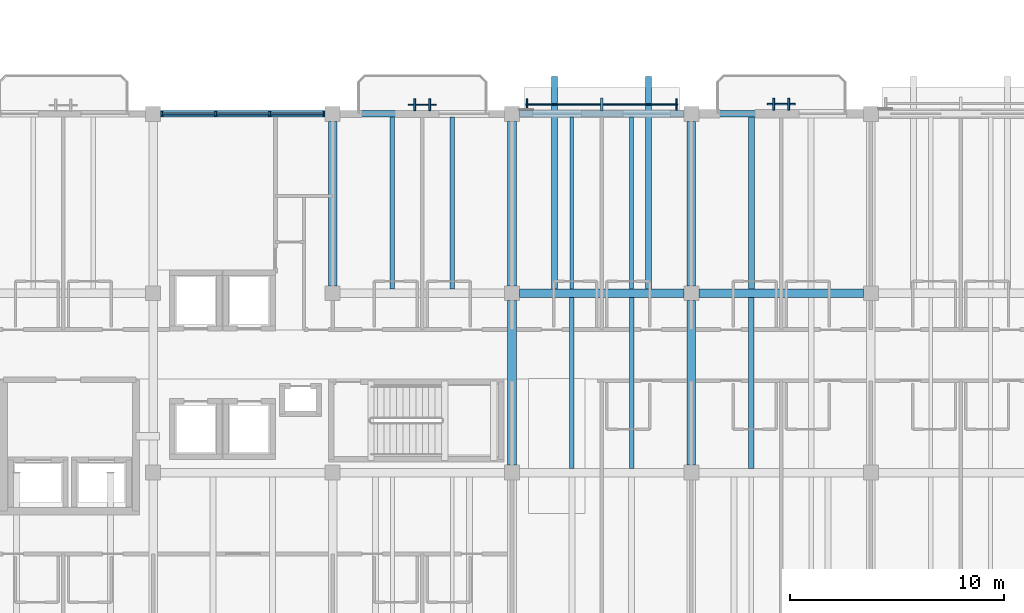
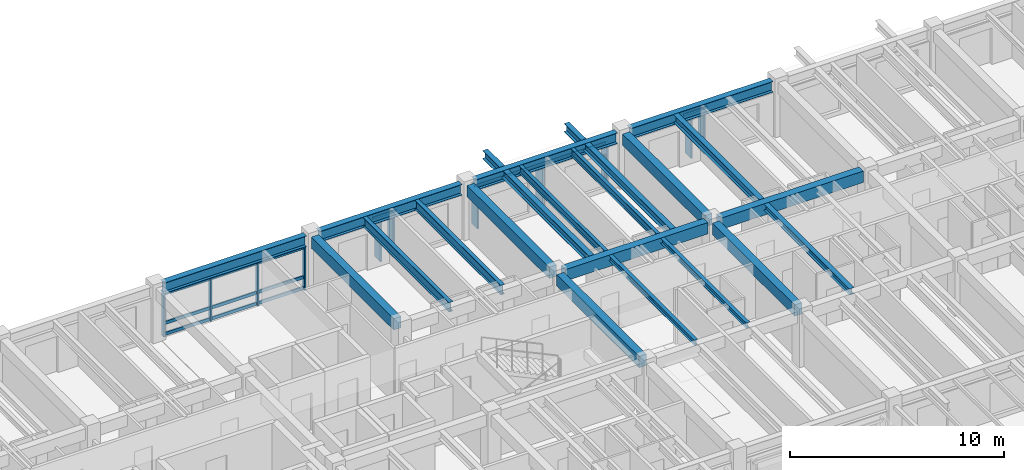
# One storey, part 17 of 111: 23 members, 21 beams, 4 elements without a shape of their own.
"""IFC4 building model written with IfcOpenShell, lengths in metres."""

from ifc_helpers import new_model, si_unit, direction, frame, origin, origin_2d, place, context, subcontext, project, spatial, rectangle, i_section, extrude, material, material_profile, profile_set, type_object, element, aggregate, save


model = new_model("IFC4")

# Units and contexts
model_context = context("Model", 3, precision=1e-05, world=origin(), true_north=direction((0.0, 1.0)))
body_context = subcontext(model_context, "Body", "Model", "MODEL_VIEW")
ifc_project = project(units=[si_unit("LENGTHUNIT", "METRE"), si_unit("AREAUNIT", "SQUARE_METRE"), si_unit("VOLUMEUNIT", "CUBIC_METRE"), si_unit("PLANEANGLEUNIT", "RADIAN"), si_unit("MASSUNIT", "GRAM", prefix="KILO")], contexts=[model_context])

# Site, building, storey
site_placement = place(None, origin())
site = spatial("IfcSite", under=ifc_project, at=site_placement, CompositionType="ELEMENT")
building_placement = place(site_placement, origin())
building = spatial("IfcBuilding", under=site, at=building_placement, Name="Cumbredor Promenade Congress Hotel", CompositionType="ELEMENT")
storey_placement = place(building_placement, frame((0.0, 0.0, 15.1201171875)))
storey = spatial("IfcBuildingStorey", under=building, at=storey_placement, Name="L04", CompositionType="ELEMENT", Elevation=15.1201171875)

# Beams
ifc_material_1 = material(Name="Concrete C40/50", Category="concrete")
ifc_material_profile_1 = material_profile(ifc_material_1, rectangle(XDim=0.39990234375, YDim=0.64990234375, at=origin_2d()), Name="RC BEAM 400x650")
ifc_profile_set_1 = profile_set([ifc_material_profile_1], Name="Concrete C40/50")
beam_type_1 = type_object("IfcBeamType", Name="BM-RC-400x650", PredefinedType="BEAM", material=ifc_profile_set_1)
beam_1_placement = place(storey_placement, frame((42.0, 109.550048828125, 2.794921875), z_axis=(0.0, 1.0, 0.0), x_axis=(-1.0, 0.0, 0.0)))
element("IfcBeam", 1, at=beam_1_placement, inside=storey, type_object=beam_type_1, Name="L05 Y-Grid Beam 075", PredefinedType="BEAM", context=body_context, shape_type="SweptSolid", body=[
    extrude(rectangle(XDim=0.39990234375, YDim=0.64990234375, at=origin_2d()), origin(), (0.0, 0.0, 1.0), 7.699951171875),
])
beam_2_placement = place(storey_placement, frame((50.39990234375, 101.14990234375, 2.794921875), z_axis=(0.0, 1.0, 0.0), x_axis=(-1.0, 0.0, 0.0)))
element("IfcBeam", 2, at=beam_2_placement, inside=storey, type_object=beam_type_1, Name="L05 Y-Grid Beam 085", PredefinedType="BEAM", context=body_context, shape_type="SweptSolid", body=[
    extrude(rectangle(XDim=0.39990234375, YDim=0.64990234375, at=origin_2d()), origin(), (0.0, 0.0, 1.0), 7.7001953125),
])
for number, where, z_axis, x_axis, name in (
    (3, (50.75, 109.199951171875, 2.794921875), (1.0, 0.0, 0.0), (0.0, 1.0, 0.0), "L05 X-Grid Beam 086"),
    (4, (50.39990234375, 109.550048828125, 2.794921875), (0.0, 1.0, 0.0), (-1.0, 0.0, 0.0), "L05 Y-Grid Beam 087"),
):
    element("IfcBeam", number, at=place(storey_placement, frame(where, z_axis=z_axis, x_axis=x_axis)), inside=storey, type_object=beam_type_1, Name=name, PredefinedType="BEAM", context=body_context, shape_type="SweptSolid", body=[
        extrude(rectangle(XDim=0.39990234375, YDim=0.64990234375, at=origin_2d()), origin(), (0.0, 0.0, 1.0), 7.699951171875),
    ])
for number, where, z_axis, x_axis, name in (
    (5, (58.800048828125, 101.14990234375, 2.794921875), (0.0, 1.0, 0.0), (-1.0, 0.0, 0.0), "L05 Y-Grid Beam 105"),
    (6, (59.14990234375, 109.199951171875, 2.794921875), (1.0, 0.0, 0.0), (0.0, 1.0, 0.0), "L05 X-Grid Beam 106"),
):
    element("IfcBeam", number, at=place(storey_placement, frame(where, z_axis=z_axis, x_axis=x_axis)), inside=storey, type_object=beam_type_1, Name=name, PredefinedType="BEAM", context=body_context, shape_type="SweptSolid", body=[
        extrude(rectangle(XDim=0.39990234375, YDim=0.64990234375, at=origin_2d()), origin(), (0.0, 0.0, 1.0), 7.7001953125),
    ])
beam_3_placement = place(storey_placement, frame((58.800048828125, 109.550048828125, 2.794921875), z_axis=(0.0, 1.0, 0.0), x_axis=(-1.0, 0.0, 0.0)))
element("IfcBeam", 7, at=beam_3_placement, inside=storey, type_object=beam_type_1, Name="L05 Y-Grid Beam 107", PredefinedType="BEAM", context=body_context, shape_type="SweptSolid", body=[
    extrude(rectangle(XDim=0.39990234375, YDim=0.64990234375, at=origin_2d()), origin(), (0.0, 0.0, 1.0), 7.699951171875),
])
ifc_material_2 = material(Name="Steel ASTM A992 Grade 50", Category="steel")
ifc_material_profile_2 = material_profile(ifc_material_2, i_section(OverallWidth=0.323974609375, OverallDepth=0.611083984375, WebThickness=0.0126953125, FlangeThickness=0.01904296875, at=origin_2d()), Name="W24X104")
ifc_profile_set_2 = profile_set([ifc_material_profile_2], Name="Steel ASTM A992 Grade 50")
beam_type_2 = type_object("IfcBeamType", Name="BM-W24X104", PredefinedType="BEAM", material=ifc_profile_set_2)
for number, where, z_axis, x_axis, name in (
    (8, (33.949951171875, 117.60009765625, 2.814453125), (1.0, 0.0, 0.0), (0.0, 1.0, 0.0), "L05 X-Grid Beam 065"),
    (9, (42.35009765625, 117.60009765625, 2.814453125), (1.0, 0.0, 0.0), (0.0, 1.0, 0.0), "L05 X-Grid Beam 076"),
    (10, (50.75, 117.60009765625, 2.814453125), (1.0, 0.0, 0.0), (0.0, 1.0, 0.0), "L05 X-Grid Beam 088"),
):
    element("IfcBeam", number, at=place(storey_placement, frame(where, z_axis=z_axis, x_axis=x_axis)), inside=storey, type_object=beam_type_2, Name=name, PredefinedType="BEAM", context=body_context, shape_type="SweptSolid", body=[
        extrude(i_section(OverallWidth=0.323974609375, OverallDepth=0.611083984375, WebThickness=0.0126953125, FlangeThickness=0.01904296875, at=origin_2d()), origin(), (0.0, 0.0, 1.0), 7.699951171875),
    ])
beam_4_placement = place(storey_placement, frame((59.14990234375, 117.60009765625, 2.814453125), z_axis=(1.0, 0.0, 0.0), x_axis=(0.0, 1.0, 0.0)))
element("IfcBeam", 11, at=beam_4_placement, inside=storey, type_object=beam_type_2, Name="L05 X-Grid Beam 108", PredefinedType="BEAM", context=body_context, shape_type="SweptSolid", body=[
    extrude(i_section(OverallWidth=0.323974609375, OverallDepth=0.611083984375, WebThickness=0.0126953125, FlangeThickness=0.01904296875, at=origin_2d()), origin(), (0.0, 0.0, 1.0), 7.7001953125),
])

# Curtain wall, members
ifc_material_3 = material(Name="Thermally broken anodized aluminium and low-E glass", Category="aluminium")
curtain_wall_type_1 = type_object("IfcCurtainWallType", Name="Unitised Bronze Curtain Wall CW-01", PredefinedType="NOTDEFINED", material=ifc_material_3)
curtain_wall_1_placement = place(storey_placement, origin())
curtain_wall_1 = element("IfcCurtainWall", 12, at=curtain_wall_1_placement, inside=storey, type_object=curtain_wall_type_1, Name="L04 Stepped Congress Hotel Wing North Curtain Wall 5", PredefinedType="NOTDEFINED")
ifc_material_4 = material(Name="Thermally broken anodized aluminium", Category="aluminium")
ifc_material_profile_3 = material_profile(ifc_material_4, rectangle(XDim=0.080078125, YDim=0.239990234375, at=origin_2d()), Name="ALU MULLION 80x240")
ifc_profile_set_3 = profile_set([ifc_material_profile_3], Name="Thermally broken anodized aluminium")
member_type_1 = type_object("IfcMemberType", Name="Curtain Wall Mullion ML-03", PredefinedType="MULLION", material=ifc_profile_set_3)
member_1_placement = place(storey_placement, frame((34.0048828125, 117.60009765625, -0.008056640625), z_axis=(0.0, 0.0, 1.0), x_axis=(1.0, 0.0, 0.0)))
member_1 = element("IfcMember", 13, at=member_1_placement, type_object=member_type_1, Name="L04 Stepped Congress Hotel Wing North Curtain Wall 5 Mullion 1", PredefinedType="MULLION", context=body_context, shape_type="SweptSolid", body=[
    extrude(rectangle(XDim=0.080078125, YDim=0.239990234375, at=origin_2d()), origin(), (0.0, 0.0, 1.0), 2.510009765625),
])
member_2_placement = place(storey_placement, frame((36.534912109375, 117.60009765625, -0.008056640625), z_axis=(0.0, 0.0, 1.0), x_axis=(1.0, 0.0, 0.0)))
member_2 = element("IfcMember", 14, at=member_2_placement, type_object=member_type_1, Name="L04 Stepped Congress Hotel Wing North Curtain Wall 5 Mullion 2", PredefinedType="MULLION", context=body_context, shape_type="SweptSolid", body=[
    extrude(rectangle(XDim=0.080078125, YDim=0.239990234375, at=origin_2d()), origin(), (0.0, 0.0, 1.0), 2.510009765625),
])
member_3_placement = place(storey_placement, frame((39.06494140625, 117.60009765625, -0.008056640625), z_axis=(0.0, 0.0, 1.0), x_axis=(1.0, 0.0, 0.0)))
member_3 = element("IfcMember", 15, at=member_3_placement, type_object=member_type_1, Name="L04 Stepped Congress Hotel Wing North Curtain Wall 5 Mullion 3", PredefinedType="MULLION", context=body_context, shape_type="SweptSolid", body=[
    extrude(rectangle(XDim=0.080078125, YDim=0.239990234375, at=origin_2d()), origin(), (0.0, 0.0, 1.0), 2.510009765625),
])
member_4_placement = place(storey_placement, frame((41.594970703125, 117.60009765625, -0.008056640625), z_axis=(0.0, 0.0, 1.0), x_axis=(1.0, 0.0, 0.0)))
member_4 = element("IfcMember", 16, at=member_4_placement, type_object=member_type_1, Name="L04 Stepped Congress Hotel Wing North Curtain Wall 5 Mullion 4", PredefinedType="MULLION", context=body_context, shape_type="SweptSolid", body=[
    extrude(rectangle(XDim=0.080078125, YDim=0.239990234375, at=origin_2d()), origin(), (0.0, 0.0, 1.0), 2.510009765625),
])

# Curtain wall, member
curtain_wall_type_2 = type_object("IfcCurtainWallType", Name="Solar Brise-Soleil Screen Assembly CW-07", PredefinedType="NOTDEFINED", material=ifc_material_3)
curtain_wall_2_placement = place(storey_placement, origin())
curtain_wall_2 = element("IfcCurtainWall", 17, at=curtain_wall_2_placement, inside=storey, type_object=curtain_wall_type_2, Name="L04 Veranda Solar Brise-Soleil Screen 772", PredefinedType="NOTDEFINED")
ifc_material_profile_4 = material_profile(ifc_material_4, rectangle(XDim=0.06494140625, YDim=0.1298828125, at=origin_2d()), Name="ALU TRANSOM 65x130")
ifc_profile_set_4 = profile_set([ifc_material_profile_4], Name="Thermally broken anodized aluminium")
member_type_2 = type_object("IfcMemberType", Name="Curtain Wall Transom TR-01", PredefinedType="USERDEFINED", material=ifc_profile_set_4)
member_5_placement = place(storey_placement, frame((45.550048828125, 118.0224609375, 2.413818359375), z_axis=(1.0, 0.0, 0.0), x_axis=(0.0, 1.0, 0.0)))
member_5 = element("IfcMember", 18, at=member_5_placement, type_object=member_type_2, Name="L04 Brise-Soleil Header Tie 0774", ObjectType="TRANSOM", PredefinedType="USERDEFINED", context=body_context, shape_type="SweptSolid", body=[
    extrude(rectangle(XDim=0.06494140625, YDim=0.1298828125, at=origin_2d()), origin(), (0.0, 0.0, 1.0), 1.300048828125),
])

curtain_wall_3_placement = place(storey_placement, origin())
curtain_wall_3 = element("IfcCurtainWall", 19, at=curtain_wall_3_placement, inside=storey, type_object=curtain_wall_type_2, Name="L04 Hospitality Brise-Soleil Screen 076", PredefinedType="NOTDEFINED")
member_6_placement = place(storey_placement, frame((51.051025390625, 118.034912109375, 2.31396484375), z_axis=(1.0, 0.0, 0.0), x_axis=(0.0, 1.0, 0.0)))
member_6 = element("IfcMember", 20, at=member_6_placement, type_object=member_type_2, Name="L04 Brise-Soleil Screen Transom 076", ObjectType="TRANSOM", PredefinedType="USERDEFINED", context=body_context, shape_type="SweptSolid", body=[
    extrude(rectangle(XDim=0.06494140625, YDim=0.1298828125, at=origin_2d()), origin(), (0.0, 0.0, 1.0), 7.097900390625),
])

curtain_wall_4_placement = place(storey_placement, origin())
curtain_wall_4 = element("IfcCurtainWall", 21, at=curtain_wall_4_placement, inside=storey, type_object=curtain_wall_type_2, Name="L04 Veranda Solar Brise-Soleil Screen 778", PredefinedType="NOTDEFINED")
member_7_placement = place(storey_placement, frame((62.35009765625, 118.050048828125, 2.413818359375), z_axis=(1.0, 0.0, 0.0), x_axis=(0.0, 1.0, 0.0)))
member_7 = element("IfcMember", 22, at=member_7_placement, type_object=member_type_2, Name="L04 Brise-Soleil Header Tie 0780", ObjectType="TRANSOM", PredefinedType="USERDEFINED", context=body_context, shape_type="SweptSolid", body=[
    extrude(rectangle(XDim=0.06494140625, YDim=0.1298828125, at=origin_2d()), origin(), (0.0, 0.0, 1.0), 1.2998046875),
])

# Member
ifc_material_profile_5 = material_profile(ifc_material_4, rectangle(XDim=0.080078125, YDim=0.179931640625, at=origin_2d()), Name="ALU TRANSOM 80x180")
ifc_profile_set_5 = profile_set([ifc_material_profile_5], Name="Thermally broken anodized aluminium")
member_type_3 = type_object("IfcMemberType", Name="Curtain Wall Transom TR-03", PredefinedType="USERDEFINED", material=ifc_profile_set_5)
member_8_placement = place(storey_placement, frame((34.044921875, 117.60009765625, 0.08984375), z_axis=(1.0, 0.0, 0.0), x_axis=(0.0, 1.0, 0.0)))
member_8 = element("IfcMember", 23, at=member_8_placement, type_object=member_type_3, Name="L04 Stepped Congress Hotel Wing North Curtain Wall 5 Transom 1.1", ObjectType="TRANSOM", PredefinedType="USERDEFINED", context=body_context, shape_type="SweptSolid", body=[
    extrude(rectangle(XDim=0.080078125, YDim=0.179931640625, at=origin_2d()), origin(), (0.0, 0.0, 1.0), 2.4501953125),
])

member_9_placement = place(storey_placement, frame((34.044921875, 117.60009765625, 0.719970703125), z_axis=(1.0, 0.0, 0.0), x_axis=(0.0, 1.0, 0.0)))
member_9 = element("IfcMember", 24, at=member_9_placement, type_object=member_type_3, Name="L04 Stepped Congress Hotel Wing North Curtain Wall 5 Transom 1.2", ObjectType="TRANSOM", PredefinedType="USERDEFINED", context=body_context, shape_type="SweptSolid", body=[
    extrude(rectangle(XDim=0.080078125, YDim=0.179931640625, at=origin_2d()), origin(), (0.0, 0.0, 1.0), 2.4501953125),
])

member_10_placement = place(storey_placement, frame((34.044921875, 117.60009765625, 2.39990234375), z_axis=(1.0, 0.0, 0.0), x_axis=(0.0, 1.0, 0.0)))
member_10 = element("IfcMember", 25, at=member_10_placement, type_object=member_type_3, Name="L04 Stepped Congress Hotel Wing North Curtain Wall 5 Transom 1.3", ObjectType="TRANSOM", PredefinedType="USERDEFINED", context=body_context, shape_type="SweptSolid", body=[
    extrude(rectangle(XDim=0.080078125, YDim=0.179931640625, at=origin_2d()), origin(), (0.0, 0.0, 1.0), 2.4501953125),
])

member_11_placement = place(storey_placement, frame((36.574951171875, 117.60009765625, 0.08984375), z_axis=(1.0, 0.0, 0.0), x_axis=(0.0, 1.0, 0.0)))
member_11 = element("IfcMember", 26, at=member_11_placement, type_object=member_type_3, Name="L04 Stepped Congress Hotel Wing North Curtain Wall 5 Transom 2.1", ObjectType="TRANSOM", PredefinedType="USERDEFINED", context=body_context, shape_type="SweptSolid", body=[
    extrude(rectangle(XDim=0.080078125, YDim=0.179931640625, at=origin_2d()), origin(), (0.0, 0.0, 1.0), 2.449951171875),
])

member_12_placement = place(storey_placement, frame((36.574951171875, 117.60009765625, 0.719970703125), z_axis=(1.0, 0.0, 0.0), x_axis=(0.0, 1.0, 0.0)))
member_12 = element("IfcMember", 27, at=member_12_placement, type_object=member_type_3, Name="L04 Stepped Congress Hotel Wing North Curtain Wall 5 Transom 2.2", ObjectType="TRANSOM", PredefinedType="USERDEFINED", context=body_context, shape_type="SweptSolid", body=[
    extrude(rectangle(XDim=0.080078125, YDim=0.179931640625, at=origin_2d()), origin(), (0.0, 0.0, 1.0), 2.449951171875),
])

member_13_placement = place(storey_placement, frame((36.574951171875, 117.60009765625, 2.39990234375), z_axis=(1.0, 0.0, 0.0), x_axis=(0.0, 1.0, 0.0)))
member_13 = element("IfcMember", 28, at=member_13_placement, type_object=member_type_3, Name="L04 Stepped Congress Hotel Wing North Curtain Wall 5 Transom 2.3", ObjectType="TRANSOM", PredefinedType="USERDEFINED", context=body_context, shape_type="SweptSolid", body=[
    extrude(rectangle(XDim=0.080078125, YDim=0.179931640625, at=origin_2d()), origin(), (0.0, 0.0, 1.0), 2.449951171875),
])

member_14_placement = place(storey_placement, frame((39.10498046875, 117.60009765625, 0.08984375), z_axis=(1.0, 0.0, 0.0), x_axis=(0.0, 1.0, 0.0)))
member_14 = element("IfcMember", 29, at=member_14_placement, type_object=member_type_3, Name="L04 Stepped Congress Hotel Wing North Curtain Wall 5 Transom 3.1", ObjectType="TRANSOM", PredefinedType="USERDEFINED", context=body_context, shape_type="SweptSolid", body=[
    extrude(rectangle(XDim=0.080078125, YDim=0.179931640625, at=origin_2d()), origin(), (0.0, 0.0, 1.0), 2.449951171875),
])

member_15_placement = place(storey_placement, frame((39.10498046875, 117.60009765625, 0.719970703125), z_axis=(1.0, 0.0, 0.0), x_axis=(0.0, 1.0, 0.0)))
member_15 = element("IfcMember", 30, at=member_15_placement, type_object=member_type_3, Name="L04 Stepped Congress Hotel Wing North Curtain Wall 5 Transom 3.2", ObjectType="TRANSOM", PredefinedType="USERDEFINED", context=body_context, shape_type="SweptSolid", body=[
    extrude(rectangle(XDim=0.080078125, YDim=0.179931640625, at=origin_2d()), origin(), (0.0, 0.0, 1.0), 2.449951171875),
])

member_16_placement = place(storey_placement, frame((39.10498046875, 117.60009765625, 2.39990234375), z_axis=(1.0, 0.0, 0.0), x_axis=(0.0, 1.0, 0.0)))
member_16 = element("IfcMember", 31, at=member_16_placement, type_object=member_type_3, Name="L04 Stepped Congress Hotel Wing North Curtain Wall 5 Transom 3.3", ObjectType="TRANSOM", PredefinedType="USERDEFINED", context=body_context, shape_type="SweptSolid", body=[
    extrude(rectangle(XDim=0.080078125, YDim=0.179931640625, at=origin_2d()), origin(), (0.0, 0.0, 1.0), 2.449951171875),
])

aggregate(curtain_wall_1, [member_1, member_2, member_3, member_4, member_8, member_9, member_10, member_11, member_12, member_13, member_14, member_15, member_16])

# Beams
ifc_material_profile_6 = material_profile(ifc_material_2, i_section(OverallWidth=0.202880859375, OverallDepth=0.302978515625, WebThickness=0.007568359375, FlangeThickness=0.01318359375, at=origin_2d()), Name="W12X40")
ifc_profile_set_6 = profile_set([ifc_material_profile_6], Name="Steel ASTM A992 Grade 50")
beam_type_3 = type_object("IfcBeamType", Name="JST-W12X40", PredefinedType="JOIST", material=ifc_profile_set_6)
for number, where, z_axis, x_axis, name in (
    (32, (53.199951171875, 101.0, 2.96826171875), (0.0, 1.0, 0.0), (-1.0, 0.0, 0.0), "L05 Secondary Floor Joist 0044"),
    (33, (56.0, 101.0, 2.96826171875), (0.0, 1.0, 0.0), (-1.0, 0.0, 0.0), "L05 Secondary Floor Joist 0045"),
):
    element("IfcBeam", number, at=place(storey_placement, frame(where, z_axis=z_axis, x_axis=x_axis)), inside=storey, type_object=beam_type_3, Name=name, PredefinedType="JOIST", context=body_context, shape_type="SweptSolid", body=[
        extrude(i_section(OverallWidth=0.202880859375, OverallDepth=0.302978515625, WebThickness=0.007568359375, FlangeThickness=0.01318359375, at=origin_2d()), origin(), (0.0, 0.0, 1.0), 8.0),
    ])
ifc_material_profile_7 = material_profile(ifc_material_2, i_section(OverallWidth=0.2548828125, OverallDepth=0.35693359375, WebThickness=0.010498046875, FlangeThickness=0.018310546875, at=origin_2d()), Name="W14X68")
ifc_profile_set_7 = profile_set([ifc_material_profile_7], Name="Steel ASTM A992 Grade 50")
beam_type_4 = type_object("IfcBeamType", Name="JST-W14X68", PredefinedType="JOIST", material=ifc_profile_set_7)
beam_5_placement = place(storey_placement, frame((61.60009765625, 101.0, 2.94140625), z_axis=(0.0, 1.0, 0.0), x_axis=(-1.0, 0.0, 0.0)))
element("IfcBeam", 34, at=beam_5_placement, inside=storey, type_object=beam_type_4, Name="L05 Secondary Floor Joist 0060", PredefinedType="JOIST", context=body_context, shape_type="SweptSolid", body=[
    extrude(i_section(OverallWidth=0.2548828125, OverallDepth=0.35693359375, WebThickness=0.010498046875, FlangeThickness=0.018310546875, at=origin_2d()), origin(), (0.0, 0.0, 1.0), 8.0),
])
ifc_material_profile_8 = material_profile(ifc_material_2, i_section(OverallWidth=0.180908203125, OverallDepth=0.4169921875, WebThickness=0.010986328125, FlangeThickness=0.018310546875, at=origin_2d()), Name="W16X57")
ifc_profile_set_8 = profile_set([ifc_material_profile_8], Name="Steel ASTM A992 Grade 50")
beam_type_5 = type_object("IfcBeamType", Name="JST-W16X57", PredefinedType="JOIST", material=ifc_profile_set_8)
for number, where, z_axis, x_axis, name in (
    (35, (53.199951171875, 109.39990234375, 2.911376953125), (0.0, 1.0, 0.0), (-1.0, 0.0, 0.0), "L05 Secondary Floor Joist 0046"),
    (36, (56.0, 109.39990234375, 2.911376953125), (0.0, 1.0, 0.0), (-1.0, 0.0, 0.0), "L05 Secondary Floor Joist 0047"),
):
    element("IfcBeam", number, at=place(storey_placement, frame(where, z_axis=z_axis, x_axis=x_axis)), inside=storey, type_object=beam_type_5, Name=name, PredefinedType="JOIST", context=body_context, shape_type="SweptSolid", body=[
        extrude(i_section(OverallWidth=0.180908203125, OverallDepth=0.4169921875, WebThickness=0.010986328125, FlangeThickness=0.018310546875, at=origin_2d()), origin(), (0.0, 0.0, 1.0), 8.0380859375),
    ])
ifc_material_profile_9 = material_profile(ifc_material_2, i_section(OverallWidth=0.280029296875, OverallDepth=0.462890625, WebThickness=0.0107421875, FlangeThickness=0.017333984375, at=origin_2d()), Name="W18X76")
ifc_profile_set_9 = profile_set([ifc_material_profile_9], Name="Steel ASTM A992 Grade 50")
beam_type_6 = type_object("IfcBeamType", Name="JST-W18X76", PredefinedType="JOIST", material=ifc_profile_set_9)
for number, where, z_axis, x_axis, name in (
    (37, (52.39990234375, 109.199951171875, 2.888427734375), (0.0, 1.0, 0.0), (-1.0, 0.0, 0.0), "L05 Balcony Back-Spanned Outrigger Beam 027.1"),
    (38, (56.800048828125, 109.199951171875, 2.888427734375), (0.0, 1.0, 0.0), (-1.0, 0.0, 0.0), "L05 Balcony Back-Spanned Outrigger Beam 027.2"),
):
    element("IfcBeam", number, at=place(storey_placement, frame(where, z_axis=z_axis, x_axis=x_axis)), inside=storey, type_object=beam_type_6, Name=name, PredefinedType="JOIST", context=body_context, shape_type="SweptSolid", body=[
        extrude(i_section(OverallWidth=0.280029296875, OverallDepth=0.462890625, WebThickness=0.0107421875, FlangeThickness=0.017333984375, at=origin_2d()), origin(), (0.0, 0.0, 1.0), 10.150146484375),
    ])
beam_6_placement = place(storey_placement, frame((61.60009765625, 109.39990234375, 2.888427734375), z_axis=(0.0, 1.0, 0.0), x_axis=(-1.0, 0.0, 0.0)))
element("IfcBeam", 39, at=beam_6_placement, inside=storey, type_object=beam_type_6, Name="L05 Secondary Floor Joist 0062", PredefinedType="JOIST", context=body_context, shape_type="SweptSolid", body=[
    extrude(i_section(OverallWidth=0.280029296875, OverallDepth=0.462890625, WebThickness=0.0107421875, FlangeThickness=0.017333984375, at=origin_2d()), origin(), (0.0, 0.0, 1.0), 8.0380859375),
])
ifc_material_profile_10 = material_profile(ifc_material_2, i_section(OverallWidth=0.214111328125, OverallDepth=0.549072265625, WebThickness=0.0146484375, FlangeThickness=0.023681640625, at=origin_2d()), Name="W21X93")
ifc_profile_set_10 = profile_set([ifc_material_profile_10], Name="Steel ASTM A992 Grade 50")
beam_type_7 = type_object("IfcBeamType", Name="JST-W21X93", PredefinedType="JOIST", material=ifc_profile_set_10)
for number, where, z_axis, x_axis, name in (
    (40, (44.800048828125, 109.39990234375, 2.845458984375), (0.0, 1.0, 0.0), (-1.0, 0.0, 0.0), "L05 Secondary Floor Joist 0038"),
    (41, (47.60009765625, 109.39990234375, 2.845458984375), (0.0, 1.0, 0.0), (-1.0, 0.0, 0.0), "L05 Secondary Floor Joist 0039"),
):
    element("IfcBeam", number, at=place(storey_placement, frame(where, z_axis=z_axis, x_axis=x_axis)), inside=storey, type_object=beam_type_7, Name=name, PredefinedType="JOIST", context=body_context, shape_type="SweptSolid", body=[
        extrude(i_section(OverallWidth=0.214111328125, OverallDepth=0.549072265625, WebThickness=0.0146484375, FlangeThickness=0.023681640625, at=origin_2d()), origin(), (0.0, 0.0, 1.0), 8.0380859375),
    ])

# Member
ifc_material_profile_11 = material_profile(ifc_material_4, rectangle(XDim=0.110107421875, YDim=0.6201171875, at=origin_2d()), Name="ARCH FIN 110x620")
ifc_profile_set_11 = profile_set([ifc_material_profile_11], Name="Thermally broken anodized aluminium")
member_type_4 = type_object("IfcMemberType", Name="Vertical Bronze Brise-Soleil Fin BSF-02 110x620", PredefinedType="USERDEFINED", material=ifc_profile_set_11)
member_17_placement = place(storey_placement, frame((54.60009765625, 118.034912109375, 0.019775390625), z_axis=(0.0, 0.0, 1.0), x_axis=(1.0, 0.0, 0.0)))
member_17 = element("IfcMember", 42, at=member_17_placement, type_object=member_type_4, Name="L04 Vertical Brise-Soleil Fin 0776", ObjectType="SOLAR FIN", PredefinedType="USERDEFINED", context=body_context, shape_type="SweptSolid", body=[
    extrude(rectangle(XDim=0.110107421875, YDim=0.6201171875, at=origin_2d()), origin(), (0.0, 0.0, 1.0), 2.35400390625),
])

ifc_material_5 = material(Name="Kiln-dried tropical hardwood", Category="wood")
ifc_material_profile_12 = material_profile(ifc_material_5, rectangle(XDim=0.090087890625, YDim=0.550048828125, at=origin_2d()), Name="ARCH FIN 90x550")
ifc_profile_set_12 = profile_set([ifc_material_profile_12], Name="Kiln-dried tropical hardwood")
member_type_5 = type_object("IfcMemberType", Name="Vertical Hardwood Brise-Soleil Fin BSF-01 90x550", PredefinedType="USERDEFINED", material=ifc_profile_set_12)
member_18_placement = place(storey_placement, frame((45.85009765625, 118.0224609375, -0.010009765625), z_axis=(0.0, 0.0, 1.0), x_axis=(1.0, 0.0, 0.0)))
member_18 = element("IfcMember", 43, at=member_18_placement, type_object=member_type_5, Name="L04 Vertical Hardwood Brise-Soleil Fin 0773", ObjectType="SOLAR FIN", PredefinedType="USERDEFINED", context=body_context, shape_type="SweptSolid", body=[
    extrude(rectangle(XDim=0.090087890625, YDim=0.550048828125, at=origin_2d()), origin(), (0.0, 0.0, 1.0), 2.48388671875),
])

member_19_placement = place(storey_placement, frame((46.550048828125, 118.0224609375, -0.010009765625), z_axis=(0.0, 0.0, 1.0), x_axis=(1.0, 0.0, 0.0)))
member_19 = element("IfcMember", 44, at=member_19_placement, type_object=member_type_5, Name="L04 Vertical Hardwood Brise-Soleil Fin 0774", ObjectType="SOLAR FIN", PredefinedType="USERDEFINED", context=body_context, shape_type="SweptSolid", body=[
    extrude(rectangle(XDim=0.090087890625, YDim=0.550048828125, at=origin_2d()), origin(), (0.0, 0.0, 1.0), 2.48388671875),
])

aggregate(curtain_wall_2, [member_18, member_19, member_5])

member_20_placement = place(storey_placement, frame((51.10107421875, 118.034912109375, 0.019775390625), z_axis=(0.0, 0.0, 1.0), x_axis=(1.0, 0.0, 0.0)))
member_20 = element("IfcMember", 45, at=member_20_placement, type_object=member_type_5, Name="L04 Vertical Brise-Soleil Fin 0775", ObjectType="SOLAR FIN", PredefinedType="USERDEFINED", context=body_context, shape_type="SweptSolid", body=[
    extrude(rectangle(XDim=0.090087890625, YDim=0.550048828125, at=origin_2d()), origin(), (0.0, 0.0, 1.0), 2.35400390625),
])

member_21_placement = place(storey_placement, frame((58.09912109375, 118.034912109375, 0.019775390625), z_axis=(0.0, 0.0, 1.0), x_axis=(1.0, 0.0, 0.0)))
member_21 = element("IfcMember", 46, at=member_21_placement, type_object=member_type_5, Name="L04 Vertical Brise-Soleil Fin 0777", ObjectType="SOLAR FIN", PredefinedType="USERDEFINED", context=body_context, shape_type="SweptSolid", body=[
    extrude(rectangle(XDim=0.090087890625, YDim=0.550048828125, at=origin_2d()), origin(), (0.0, 0.0, 1.0), 2.35400390625),
])

aggregate(curtain_wall_3, [member_6, member_20, member_17, member_21])

member_22_placement = place(storey_placement, frame((62.64990234375, 118.050048828125, -0.010009765625), z_axis=(0.0, 0.0, 1.0), x_axis=(1.0, 0.0, 0.0)))
member_22 = element("IfcMember", 47, at=member_22_placement, type_object=member_type_5, Name="L04 Vertical Hardwood Brise-Soleil Fin 0779", ObjectType="SOLAR FIN", PredefinedType="USERDEFINED", context=body_context, shape_type="SweptSolid", body=[
    extrude(rectangle(XDim=0.090087890625, YDim=0.550048828125, at=origin_2d()), origin(), (0.0, 0.0, 1.0), 2.48388671875),
])

member_23_placement = place(storey_placement, frame((63.35009765625, 118.050048828125, -0.010009765625), z_axis=(0.0, 0.0, 1.0), x_axis=(1.0, 0.0, 0.0)))
member_23 = element("IfcMember", 48, at=member_23_placement, type_object=member_type_5, Name="L04 Vertical Hardwood Brise-Soleil Fin 0780", ObjectType="SOLAR FIN", PredefinedType="USERDEFINED", context=body_context, shape_type="SweptSolid", body=[
    extrude(rectangle(XDim=0.090087890625, YDim=0.550048828125, at=origin_2d()), origin(), (0.0, 0.0, 1.0), 2.48388671875),
])

aggregate(curtain_wall_4, [member_22, member_23, member_7])

save(model, "model.ifc")
